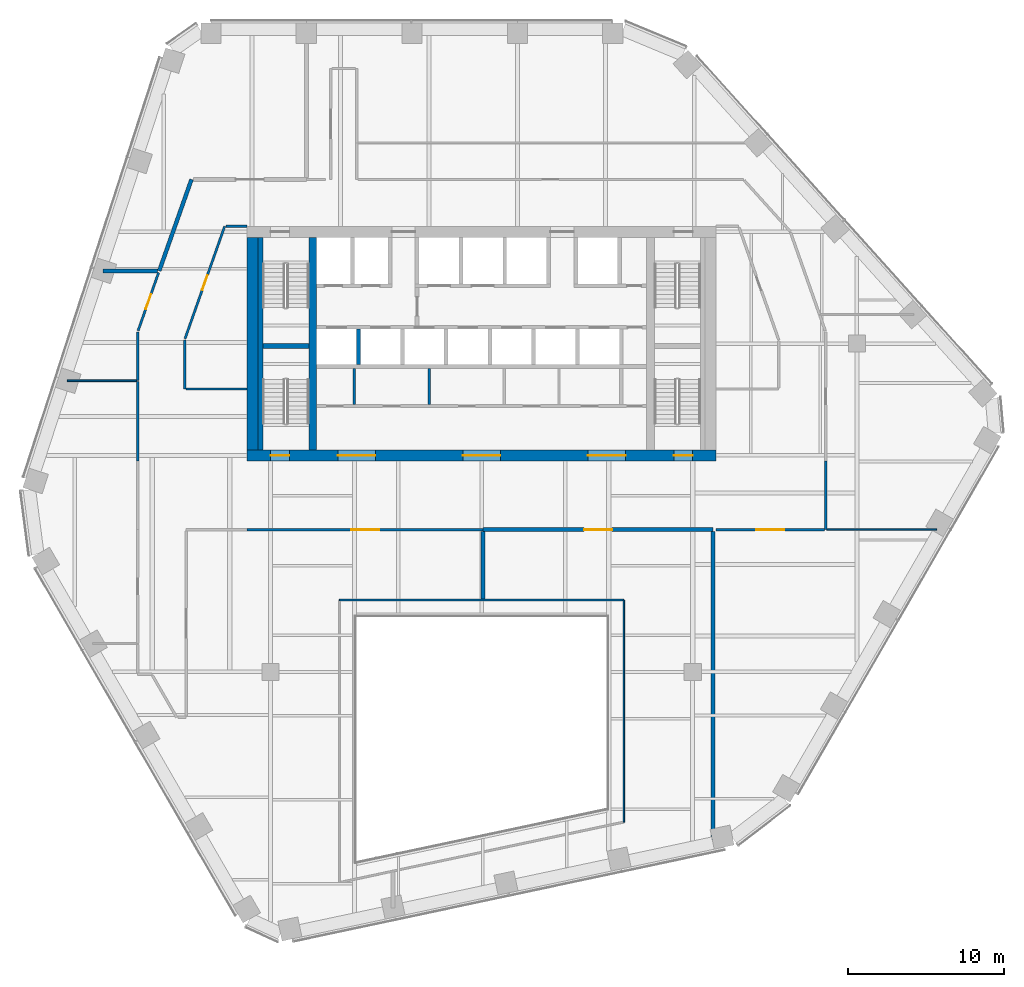
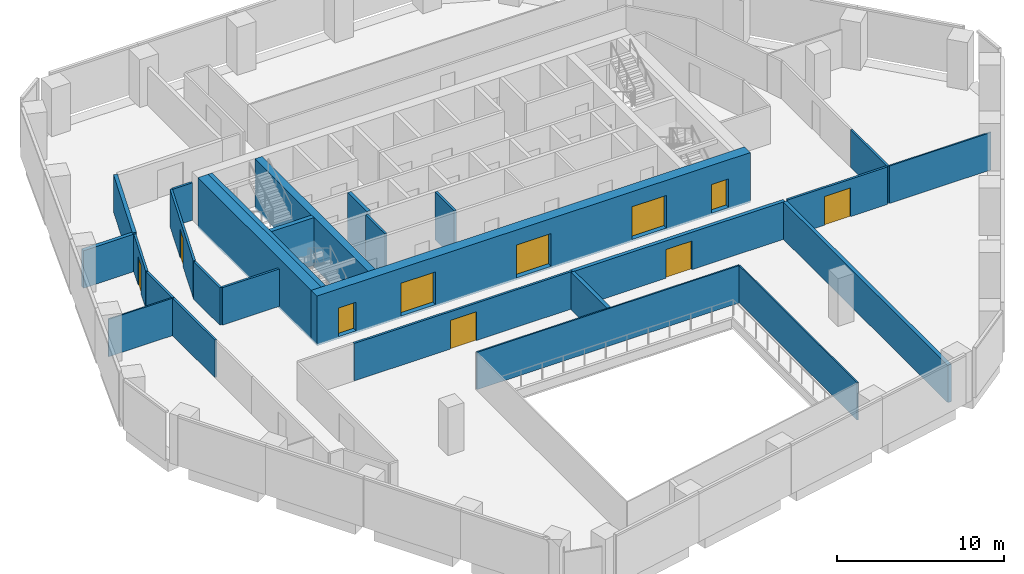
# One storey, part 11 of 17: 27 walls, 10 doors, 10 openings.
"""IFC4 building model written with IfcOpenShell, lengths in metres."""

from ifc_helpers import new_model, si_unit, direction, frame, frame_2d, origin, place, context, subcontext, project, spatial, rectangle, extrude, material, layer, layer_set, type_object, element, fill, save


model = new_model("IFC4")

# Units and contexts
model_context = context("Model", 3, precision=1e-05, world=origin(), true_north=direction((0.0, 1.0)))
body_context = subcontext(model_context, "Body", "Model", "MODEL_VIEW")
ifc_project = project(units=[si_unit("LENGTHUNIT", "METRE"), si_unit("AREAUNIT", "SQUARE_METRE"), si_unit("VOLUMEUNIT", "CUBIC_METRE"), si_unit("PLANEANGLEUNIT", "RADIAN"), si_unit("MASSUNIT", "GRAM", prefix="KILO")], contexts=[model_context])

# Site, building, storey
site_placement = place(None, origin())
site = spatial("IfcSite", under=ifc_project, at=site_placement, CompositionType="ELEMENT")
building_placement = place(site_placement, origin())
building = spatial("IfcBuilding", under=site, at=building_placement, Name="Isthmus Gate Tower", CompositionType="ELEMENT")
storey_placement = place(building_placement, frame((0.0, 0.0, 181.75)))
storey = spatial("IfcBuildingStorey", under=building, at=storey_placement, Name="L45", CompositionType="ELEMENT", Elevation=181.75)

# Wall, opening, door
ifc_material_1 = material(Name="Double-leaf acoustic stud wall, fire-rated", Category="gypsum")
ifc_layer_1 = layer(ifc_material_1, 0.25)
ifc_layer_set_1 = layer_set([ifc_layer_1], Name="ACOUSTIC WALL 250 60 MIN")
wall_type_1 = type_object("IfcWallType", Name="ACOUSTIC WALL 250 60 MIN", PredefinedType="PARTITIONING", material=ifc_layer_set_1)
wall_1_placement = place(storey_placement, frame((14.800048828125, -4.39990234375, 0.0), z_axis=(0.0, 0.0, 1.0), x_axis=(-1.0, 0.0, 0.0)))
wall_1 = element("IfcWall", 1, at=wall_1_placement, inside=storey, type_object=wall_type_1, Name="L45 Acoustic Wall 250 60 Min", PredefinedType="PARTITIONING", context=body_context, shape_type="SweptSolid", body=[
    extrude(rectangle(XDim=14.705078125, YDim=0.25, at=frame_2d((7.3525390625, 0.0))), origin(), (0.0, 0.0, 1.0), 2.7412109375),
])
opening_1_placement = place(wall_1_placement, frame((6.452392578125, 0.0, 0.0)))
opening_1 = element("IfcOpeningElement", 2, at=opening_1_placement, cuts=wall_1, Name="Opening DT-T4B-12", PredefinedType="OPENING", context=body_context, shape_type="SweptSolid", body=[
    extrude(rectangle(XDim=1.800048828125, YDim=2.10009765625, at=frame_2d((0.89990234375, 1.050048828125))), frame((0.0, 0.135009765625, 0.0), z_axis=(0.0, -1.0, 0.0), x_axis=(1.0, 0.0, 0.0)), (0.0, 0.0, 1.0), 0.27001953125),
])
ifc_material_2 = material(Name="Solid core timber door leaf, fire-rated", Category="wood")
door_type_1 = type_object("IfcDoorType", Name="FIRE DOOR ACOUSTIC ROOM 1800 X 2100 60 MIN", OperationType="DOUBLE_DOOR_DOUBLE_SWING", PredefinedType="DOOR", material=ifc_material_2)
door_1_placement = place(opening_1_placement, origin())
door_1 = element("IfcDoor", 3, at=door_1_placement, inside=storey, type_object=door_type_1, Name="L45 room door", OperationType="DOUBLE_DOOR_DOUBLE_SWING", OverallHeight=2.10009765625, OverallWidth=1.800048828125, PredefinedType="DOOR", context=body_context, shape_type="SweptSolid", body=[
    extrude(rectangle(XDim=1.800048828125, YDim=2.10009765625, at=frame_2d((0.89990234375, 1.050048828125))), frame((0.0, 0.02490234375, 0.0), z_axis=(0.0, -1.0, 0.0), x_axis=(1.0, 0.0, 0.0)), (0.0, 0.0, 1.0), 0.050048828125),
])
fill(opening_1, door_1)

# Walls
wall_2_placement = place(storey_placement, frame((-20.6240234375, 12.156005859375, 0.0), z_axis=(0.0, 0.0, 1.0), x_axis=(0.332877813913, 0.942969968241, 0.0)))
element("IfcWall", 4, at=wall_2_placement, inside=storey, type_object=wall_type_1, Name="L45 Acoustic Wall 250 60 Min", PredefinedType="PARTITIONING", context=body_context, shape_type="SweptSolid", body=[
    extrude(rectangle(XDim=6.197509765625, YDim=0.25, at=frame_2d((3.0986328125, 0.0))), origin(), (0.0, 0.0, 1.0), 2.7412109375),
])
wall_3_placement = place(storey_placement, frame((-24.217041015625, 12.156005859375, 0.0), z_axis=(0.0, 0.0, 1.0), x_axis=(1.0, 0.0, 0.0)))
element("IfcWall", 5, at=wall_3_placement, inside=storey, type_object=wall_type_1, Name="L45 Acoustic Wall 250 60 Min", PredefinedType="PARTITIONING", context=body_context, shape_type="SweptSolid", body=[
    extrude(rectangle(XDim=3.468017578125, YDim=0.25, at=frame_2d((1.73388671875, 0.0))), origin(), (0.0, 0.0, 1.0), 2.7412109375),
])
wall_4_placement = place(storey_placement, frame((0.094970703125, -8.85009765625, 0.0), z_axis=(0.0, 0.0, 1.0), x_axis=(0.0, 1.0, 0.0)))
element("IfcWall", 6, at=wall_4_placement, inside=storey, type_object=wall_type_1, Name="L45 Acoustic Wall 250 60 Min", PredefinedType="PARTITIONING", context=body_context, shape_type="SweptSolid", body=[
    extrude(rectangle(XDim=4.3251953125, YDim=0.25, at=frame_2d((2.16259765625, 0.0))), origin(), (0.0, 0.0, 1.0), 2.7412109375),
])
wall_5_placement = place(storey_placement, frame((14.800048828125, -24.240966796875, 0.0), z_axis=(0.0, 0.0, 1.0), x_axis=(0.0, 1.0, 0.0)))
element("IfcWall", 7, at=wall_5_placement, inside=storey, type_object=wall_type_1, Name="L45 Acoustic Wall 250 60 Min", PredefinedType="PARTITIONING", context=body_context, shape_type="SweptSolid", body=[
    extrude(rectangle(XDim=19.716064453125, YDim=0.25, at=frame_2d((9.85791015625, 0.0))), origin(), (0.0, 0.0, 1.0), 2.7412109375),
])
ifc_material_3 = material(Name="Fire-rated laminated glass in steel frame", Category="steel")
ifc_layer_2 = layer(ifc_material_3, 0.10009765625)
ifc_layer_set_2 = layer_set([ifc_layer_2], Name="ATRIUM SCREEN GLAZED WALL 100 120 MIN")
wall_type_2 = type_object("IfcWallType", Name="ATRIUM SCREEN GLAZED WALL 100 120 MIN", PredefinedType="PARTITIONING", material=ifc_layer_set_2)
wall_6_placement = place(storey_placement, frame((-9.10009765625, -8.89990234375, 0.0), z_axis=(0.0, 0.0, 1.0), x_axis=(1.0, 0.0, 0.0)))
element("IfcWall", 8, at=wall_6_placement, inside=storey, type_object=wall_type_2, Name="L45 atrium screen", PredefinedType="PARTITIONING", context=body_context, shape_type="SweptSolid", body=[
    extrude(rectangle(XDim=18.2001953125, YDim=0.10009765625, at=frame_2d((9.10009765625, 0.0))), origin(), (0.0, 0.0, 1.0), 2.7412109375),
])
wall_7_placement = place(storey_placement, frame((9.10009765625, -8.89990234375, 0.0), z_axis=(0.0, 0.0, 1.0), x_axis=(0.0, -1.0, 0.0)))
element("IfcWall", 9, at=wall_7_placement, inside=storey, type_object=wall_type_2, Name="L45 atrium screen", PredefinedType="PARTITIONING", context=body_context, shape_type="SweptSolid", body=[
    extrude(rectangle(XDim=14.200927734375, YDim=0.10009765625, at=frame_2d((7.1005859375, 0.0))), origin(), (0.0, 0.0, 1.0), 2.7412109375),
])

# Wall, opening, door
ifc_material_4 = material(Name="Gypsum board on steel studs, fire-rated", Category="steel")
ifc_layer_3 = layer(ifc_material_4, 0.14990234375)
ifc_layer_set_3 = layer_set([ifc_layer_3], Name="CORRIDOR WALL 150 60 MIN")
wall_type_3 = type_object("IfcWallType", Name="CORRIDOR WALL 150 60 MIN", PredefinedType="PARTITIONING", material=ifc_layer_set_3)
wall_8_placement = place(storey_placement, frame((0.094970703125, -4.39990234375, 0.0), z_axis=(0.0, 0.0, 1.0), x_axis=(-1.0, 0.0, 0.0)))
wall_8 = element("IfcWall", 10, at=wall_8_placement, inside=storey, type_object=wall_type_3, Name="L45 Corridor Wall 150 60 Min", PredefinedType="PARTITIONING", context=body_context, shape_type="SweptSolid", body=[
    extrude(rectangle(XDim=15.094970703125, YDim=0.14990234375, at=frame_2d((7.54736328125, 0.0))), origin(), (0.0, 0.0, 1.0), 2.7412109375),
])
opening_2_placement = place(wall_8_placement, frame((6.6474609375, 0.0, 0.0)))
opening_2 = element("IfcOpeningElement", 11, at=opening_2_placement, cuts=wall_8, Name="Opening DT-T4B-10", PredefinedType="OPENING", context=body_context, shape_type="SweptSolid", body=[
    extrude(rectangle(XDim=1.800048828125, YDim=2.10009765625, at=frame_2d((0.89990234375, 1.050048828125))), frame((0.0, 0.0849609375, 0.0), z_axis=(0.0, -1.0, 0.0), x_axis=(1.0, 0.0, 0.0)), (0.0, 0.0, 1.0), 0.169921875),
])
ifc_material_5 = material(Name="Solid core timber door leaf, fire-rated", Category="wood")
door_type_2 = type_object("IfcDoorType", Name="FIRE DOOR ROOM 1800 X 2100 60 MIN", OperationType="DOUBLE_DOOR_DOUBLE_SWING", PredefinedType="DOOR", material=ifc_material_5)
door_2_placement = place(opening_2_placement, origin())
door_2 = element("IfcDoor", 12, at=door_2_placement, inside=storey, type_object=door_type_2, Name="L45 room door", OperationType="DOUBLE_DOOR_DOUBLE_SWING", OverallHeight=2.10009765625, OverallWidth=1.800048828125, PredefinedType="DOOR", context=body_context, shape_type="SweptSolid", body=[
    extrude(rectangle(XDim=1.800048828125, YDim=2.10009765625, at=frame_2d((0.89990234375, 1.050048828125))), frame((0.0, 0.02490234375, 0.0), z_axis=(0.0, -1.0, 0.0), x_axis=(1.0, 0.0, 0.0)), (0.0, 0.0, 1.0), 0.050048828125),
])
fill(opening_2, door_2)

# Wall
wall_9_placement = place(storey_placement, frame((22.0, 0.0, 0.0), z_axis=(0.0, 0.0, 1.0), x_axis=(0.0, -1.0, 0.0)))
element("IfcWall", 13, at=wall_9_placement, inside=storey, type_object=wall_type_3, Name="L45 Corridor Wall 150 60 Min", PredefinedType="PARTITIONING", context=body_context, shape_type="SweptSolid", body=[
    extrude(rectangle(XDim=4.39990234375, YDim=0.14990234375, at=frame_2d((2.199951171875, 0.0))), origin(), (0.0, 0.0, 1.0), 2.7412109375),
])

# Wall, opening, door
wall_10_placement = place(storey_placement, frame((21.925048828125, -4.39990234375, 0.0), z_axis=(0.0, 0.0, 1.0), x_axis=(-1.0, 0.0, 0.0)))
wall_10 = element("IfcWall", 14, at=wall_10_placement, inside=storey, type_object=wall_type_3, Name="L45 Corridor Wall 150 60 Min", PredefinedType="PARTITIONING", context=body_context, shape_type="SweptSolid", body=[
    extrude(rectangle(XDim=6.925048828125, YDim=0.14990234375, at=frame_2d((3.46240234375, 0.0))), origin(), (0.0, 0.0, 1.0), 2.7412109375),
])
opening_3_placement = place(wall_10_placement, frame((2.5625, 0.0, 0.0)))
opening_3 = element("IfcOpeningElement", 15, at=opening_3_placement, cuts=wall_10, Name="Opening DT-T4B-09", PredefinedType="OPENING", context=body_context, shape_type="SweptSolid", body=[
    extrude(rectangle(XDim=1.800048828125, YDim=2.10009765625, at=frame_2d((0.89990234375, 1.050048828125))), frame((0.0, 0.0849609375, 0.0), z_axis=(0.0, -1.0, 0.0), x_axis=(1.0, 0.0, 0.0)), (0.0, 0.0, 1.0), 0.169921875),
])
door_3_placement = place(opening_3_placement, origin())
door_3 = element("IfcDoor", 16, at=door_3_placement, inside=storey, type_object=door_type_2, Name="L45 room door", OperationType="DOUBLE_DOOR_DOUBLE_SWING", OverallHeight=2.10009765625, OverallWidth=1.800048828125, PredefinedType="DOOR", context=body_context, shape_type="SweptSolid", body=[
    extrude(rectangle(XDim=1.800048828125, YDim=2.10009765625, at=frame_2d((0.89990234375, 1.050048828125))), frame((0.0, 0.02490234375, 0.0), z_axis=(0.0, -1.0, 0.0), x_axis=(1.0, 0.0, 0.0)), (0.0, 0.0, 1.0), 0.050048828125),
])
fill(opening_3, door_3)

# Wall
wall_11_placement = place(storey_placement, frame((-19.0, 7.742919921875, 0.0), z_axis=(0.0, 0.0, 1.0), x_axis=(0.0, -1.0, 0.0)))
element("IfcWall", 17, at=wall_11_placement, inside=storey, type_object=wall_type_3, Name="L45 Corridor Wall 150 60 Min", PredefinedType="PARTITIONING", context=body_context, shape_type="SweptSolid", body=[
    extrude(rectangle(XDim=3.142822265625, YDim=0.14990234375, at=frame_2d((1.5712890625, 0.0))), origin(), (0.0, 0.0, 1.0), 2.7412109375),
])

# Wall, opening, door
wall_12_placement = place(storey_placement, frame((-16.43896484375, 15.0, 0.0), z_axis=(0.0, 0.0, 1.0), x_axis=(-0.332796656951, -0.942998613531, 0.0)))
wall_12 = element("IfcWall", 18, at=wall_12_placement, inside=storey, type_object=wall_type_3, Name="L45 Corridor Wall 150 60 Min", PredefinedType="PARTITIONING", context=body_context, shape_type="SweptSolid", body=[
    extrude(rectangle(XDim=7.62060546875, YDim=0.14990234375, at=frame_2d((3.810302734375, 0.0))), origin(), (0.0, 0.0, 1.0), 2.7412109375),
])
opening_4_placement = place(wall_12_placement, frame((3.310302734375, 0.0, 0.0)))
opening_4 = element("IfcOpeningElement", 19, at=opening_4_placement, cuts=wall_12, Name="Opening DT-T4B-04", PredefinedType="OPENING", context=body_context, shape_type="SweptSolid", body=[
    extrude(rectangle(XDim=1.0, YDim=2.10009765625, at=frame_2d((0.5, 1.050048828125))), frame((0.0, 0.0849609375, 0.0), z_axis=(0.0, -1.0, 0.0), x_axis=(1.0, 0.0, 0.0)), (0.0, 0.0, 1.0), 0.169921875),
])
ifc_material_6 = material(Name="Solid core timber door leaf, fire-rated", Category="wood")
door_type_3 = type_object("IfcDoorType", Name="FIRE DOOR ROOM 1000 X 2100 60 MIN", OperationType="SINGLE_SWING_LEFT", PredefinedType="DOOR", material=ifc_material_6)
door_4_placement = place(opening_4_placement, origin())
door_4 = element("IfcDoor", 20, at=door_4_placement, inside=storey, type_object=door_type_3, Name="L45 room door", OperationType="SINGLE_SWING_RIGHT", OverallHeight=2.10009765625, OverallWidth=1.0, PredefinedType="DOOR", context=body_context, shape_type="SweptSolid", body=[
    extrude(rectangle(XDim=1.0, YDim=2.10009765625, at=frame_2d((0.5, 1.050048828125))), frame((0.0, 0.02490234375, 0.0), z_axis=(0.0, -1.0, 0.0), x_axis=(1.0, 0.0, 0.0)), (0.0, 0.0, 1.0), 0.050048828125),
])
fill(opening_4, door_4)

# Walls
wall_13_placement = place(storey_placement, frame((-15.0, 15.0, 0.0), z_axis=(0.0, 0.0, 1.0), x_axis=(-1.0, 0.0, 0.0)))
element("IfcWall", 21, at=wall_13_placement, inside=storey, type_object=wall_type_3, Name="L45 Corridor Wall 150 60 Min", PredefinedType="PARTITIONING", context=body_context, shape_type="SweptSolid", body=[
    extrude(rectangle(XDim=1.364013671875, YDim=0.14990234375, at=frame_2d((0.68212890625, 0.0))), origin(), (0.0, 0.0, 1.0), 2.7412109375),
])
wall_14_placement = place(storey_placement, frame((-18.925048828125, 4.60009765625, 0.0), z_axis=(0.0, 0.0, 1.0), x_axis=(1.0, 0.0, 0.0)))
element("IfcWall", 22, at=wall_14_placement, inside=storey, type_object=wall_type_3, Name="L45 Corridor Wall 150 60 Min", PredefinedType="PARTITIONING", context=body_context, shape_type="SweptSolid", body=[
    extrude(rectangle(XDim=3.925048828125, YDim=0.14990234375, at=frame_2d((1.96240234375, 0.0))), origin(), (0.0, 0.0, 1.0), 2.7412109375),
])
wall_15_placement = place(storey_placement, frame((-22.0, 5.126953125, 0.0), z_axis=(0.0, 0.0, 1.0), x_axis=(0.0, 1.0, 0.0)))
element("IfcWall", 23, at=wall_15_placement, inside=storey, type_object=wall_type_3, Name="L45 Corridor Wall 150 60 Min", PredefinedType="PARTITIONING", context=body_context, shape_type="SweptSolid", body=[
    extrude(rectangle(XDim=3.130126953125, YDim=0.14990234375, at=frame_2d((1.56494140625, 0.0))), origin(), (0.0, 0.0, 1.0), 2.7412109375),
])

# Wall, opening, door
wall_16_placement = place(storey_placement, frame((-21.97509765625, 8.32763671875, 0.0), z_axis=(0.0, 0.0, 1.0), x_axis=(0.332820117735, 0.942990333583, 0.0)))
wall_16 = element("IfcWall", 24, at=wall_16_placement, inside=storey, type_object=wall_type_3, Name="L45 Corridor Wall 150 60 Min", PredefinedType="PARTITIONING", context=body_context, shape_type="SweptSolid", body=[
    extrude(rectangle(XDim=3.934814453125, YDim=0.14990234375, at=frame_2d((1.96728515625, 0.0))), origin(), (0.0, 0.0, 1.0), 2.7412109375),
])
opening_5_placement = place(wall_16_placement, frame((1.46728515625, 0.0, 0.0)))
opening_5 = element("IfcOpeningElement", 25, at=opening_5_placement, cuts=wall_16, Name="Opening DT-T4B-06", PredefinedType="OPENING", context=body_context, shape_type="SweptSolid", body=[
    extrude(rectangle(XDim=1.0, YDim=2.10009765625, at=frame_2d((0.5, 1.050048828125))), frame((0.0, 0.0849609375, 0.0), z_axis=(0.0, -1.0, 0.0), x_axis=(1.0, 0.0, 0.0)), (0.0, 0.0, 1.0), 0.169921875),
])
door_5_placement = place(opening_5_placement, origin())
door_5 = element("IfcDoor", 26, at=door_5_placement, inside=storey, type_object=door_type_3, Name="L45 room door", OperationType="SINGLE_SWING_RIGHT", OverallHeight=2.10009765625, OverallWidth=1.0, PredefinedType="DOOR", context=body_context, shape_type="SweptSolid", body=[
    extrude(rectangle(XDim=1.0, YDim=2.10009765625, at=frame_2d((0.5, 1.050048828125))), frame((0.0, 0.02490234375, 0.0), z_axis=(0.0, -1.0, 0.0), x_axis=(1.0, 0.0, 0.0)), (0.0, 0.0, 1.0), 0.050048828125),
])
fill(opening_5, door_5)

# Walls
wall_17_placement = place(storey_placement, frame((-22.0, 0.0, 0.0), z_axis=(0.0, 0.0, 1.0), x_axis=(0.0, 1.0, 0.0)))
element("IfcWall", 27, at=wall_17_placement, inside=storey, type_object=wall_type_3, Name="L45 Corridor Wall 150 60 Min", PredefinedType="PARTITIONING", context=body_context, shape_type="SweptSolid", body=[
    extrude(rectangle(XDim=5.076904296875, YDim=0.14990234375, at=frame_2d((2.53857421875, 0.0))), origin(), (0.0, 0.0, 1.0), 2.7412109375),
])
ifc_material_7 = material(Name="Concrete f'c 60 MPa", Category="concrete")
ifc_layer_4 = layer(ifc_material_7, 0.5)
ifc_layer_set_4 = layer_set([ifc_layer_4], Name="RC CORE SPINE WALL 500 F'C 60")
wall_type_4 = type_object("IfcWallType", Name="RC CORE SPINE WALL 500 F'C 60", PredefinedType="SOLIDWALL", material=ifc_layer_set_4)
wall_18_placement = place(storey_placement, frame((-10.800048828125, 0.699951171875, -0.14990234375), z_axis=(0.0, 0.0, 1.0), x_axis=(0.0, 1.0, 0.0)))
element("IfcWall", 28, at=wall_18_placement, inside=storey, type_object=wall_type_4, Name="str-corewall-L45-SPW", PredefinedType="SOLIDWALL", context=body_context, shape_type="SweptSolid", body=[
    extrude(rectangle(XDim=13.60009765625, YDim=0.5, at=frame_2d((6.800048828125, 0.0))), origin(), (0.0, 0.0, 1.0), 3.64990234375),
])

# Wall, openings, doors
ifc_material_8 = material(Name="Concrete f'c 60 MPa", Category="concrete")
ifc_layer_5 = layer(ifc_material_8, 0.699951171875)
ifc_layer_set_5 = layer_set([ifc_layer_5], Name="RC CORE WALL 700 F'C 60")
wall_type_5 = type_object("IfcWallType", Name="RC CORE WALL 700 F'C 60", PredefinedType="SOLIDWALL", material=ifc_layer_set_5)
wall_19_placement = place(storey_placement, frame((-15.0, 0.35009765625, -0.14990234375), z_axis=(0.0, 0.0, 1.0), x_axis=(1.0, 0.0, 0.0)))
wall_19 = element("IfcWall", 29, at=wall_19_placement, inside=storey, type_object=wall_type_5, Name="str-corewall-L45-S", PredefinedType="SOLIDWALL", context=body_context, shape_type="SweptSolid", body=[
    extrude(rectangle(XDim=30.0, YDim=0.699951171875, at=frame_2d((15.0, 0.0))), origin(), (0.0, 0.0, 1.0), 3.64990234375),
])
opening_6_placement = place(wall_19_placement, frame((5.800048828125, 0.0, 0.14990234375)))
opening_6 = element("IfcOpeningElement", 30, at=opening_6_placement, cuts=wall_19, Name="Opening DC-A12-10", PredefinedType="OPENING", context=body_context, shape_type="SweptSolid", body=[
    extrude(rectangle(XDim=2.39990234375, YDim=2.39990234375, at=frame_2d((1.199951171875, 1.199951171875))), frame((0.0, 0.35986328125, 0.0), z_axis=(0.0, -1.0, 0.0), x_axis=(1.0, 0.0, 0.0)), (0.0, 0.0, 1.0), 0.719970703125),
])
opening_7_placement = place(wall_19_placement, frame((13.800048828125, 0.0, 0.14990234375)))
opening_7 = element("IfcOpeningElement", 31, at=opening_7_placement, cuts=wall_19, Name="Opening DC-A12-11", PredefinedType="OPENING", context=body_context, shape_type="SweptSolid", body=[
    extrude(rectangle(XDim=2.39990234375, YDim=2.39990234375, at=frame_2d((1.199951171875, 1.199951171875))), frame((0.0, 0.35986328125, 0.0), z_axis=(0.0, -1.0, 0.0), x_axis=(1.0, 0.0, 0.0)), (0.0, 0.0, 1.0), 0.719970703125),
])
opening_8_placement = place(wall_19_placement, frame((21.800048828125, 0.0, 0.14990234375)))
opening_8 = element("IfcOpeningElement", 32, at=opening_8_placement, cuts=wall_19, Name="Opening DC-A12-12", PredefinedType="OPENING", context=body_context, shape_type="SweptSolid", body=[
    extrude(rectangle(XDim=2.39990234375, YDim=2.39990234375, at=frame_2d((1.199951171875, 1.199951171875))), frame((0.0, 0.35986328125, 0.0), z_axis=(0.0, -1.0, 0.0), x_axis=(1.0, 0.0, 0.0)), (0.0, 0.0, 1.0), 0.719970703125),
])
opening_9_placement = place(wall_19_placement, frame((1.5, 0.0, 0.14990234375)))
opening_9 = element("IfcOpeningElement", 33, at=opening_9_placement, cuts=wall_19, Name="Opening DC-A12-17", PredefinedType="OPENING", context=body_context, shape_type="SweptSolid", body=[
    extrude(rectangle(XDim=1.199951171875, YDim=2.10009765625, at=frame_2d((0.60009765625, 1.050048828125))), frame((0.0, 0.35986328125, 0.0), z_axis=(0.0, -1.0, 0.0), x_axis=(1.0, 0.0, 0.0)), (0.0, 0.0, 1.0), 0.719970703125),
])
opening_10_placement = place(wall_19_placement, frame((27.300048828125, 0.0, 0.14990234375)))
opening_10 = element("IfcOpeningElement", 34, at=opening_10_placement, cuts=wall_19, Name="Opening DC-A12-18", PredefinedType="OPENING", context=body_context, shape_type="SweptSolid", body=[
    extrude(rectangle(XDim=1.199951171875, YDim=2.10009765625, at=frame_2d((0.60009765625, 1.050048828125))), frame((0.0, 0.35986328125, 0.0), z_axis=(0.0, -1.0, 0.0), x_axis=(1.0, 0.0, 0.0)), (0.0, 0.0, 1.0), 0.719970703125),
])
ifc_material_9 = material(Name="Laminated safety glass in steel frame, fire-rated", Category="steel")
door_type_4 = type_object("IfcDoorType", Name="LOBBY ENTRANCE FIRE DOOR 2400 X 2400 60 MIN", OperationType="DOUBLE_DOOR_DOUBLE_SWING", PredefinedType="DOOR", material=ifc_material_9)
door_6_placement = place(opening_6_placement, origin())
door_6 = element("IfcDoor", 35, at=door_6_placement, inside=storey, type_object=door_type_4, Name="Lobby Entrance PS-W", OperationType="DOUBLE_DOOR_DOUBLE_SWING", OverallHeight=2.39990234375, OverallWidth=2.39990234375, PredefinedType="DOOR", context=body_context, shape_type="SweptSolid", body=[
    extrude(rectangle(XDim=2.39990234375, YDim=2.39990234375, at=frame_2d((1.199951171875, 1.199951171875))), frame((0.0, 0.02490234375, 0.0), z_axis=(0.0, -1.0, 0.0), x_axis=(1.0, 0.0, 0.0)), (0.0, 0.0, 1.0), 0.050048828125),
])
fill(opening_6, door_6)
door_7_placement = place(opening_7_placement, origin())
door_7 = element("IfcDoor", 36, at=door_7_placement, inside=storey, type_object=door_type_4, Name="Lobby Entrance PS-C", OperationType="DOUBLE_DOOR_DOUBLE_SWING", OverallHeight=2.39990234375, OverallWidth=2.39990234375, PredefinedType="DOOR", context=body_context, shape_type="SweptSolid", body=[
    extrude(rectangle(XDim=2.39990234375, YDim=2.39990234375, at=frame_2d((1.199951171875, 1.199951171875))), frame((0.0, 0.02490234375, 0.0), z_axis=(0.0, -1.0, 0.0), x_axis=(1.0, 0.0, 0.0)), (0.0, 0.0, 1.0), 0.050048828125),
])
fill(opening_7, door_7)
door_8_placement = place(opening_8_placement, origin())
door_8 = element("IfcDoor", 37, at=door_8_placement, inside=storey, type_object=door_type_4, Name="Lobby Entrance PS-E", OperationType="DOUBLE_DOOR_DOUBLE_SWING", OverallHeight=2.39990234375, OverallWidth=2.39990234375, PredefinedType="DOOR", context=body_context, shape_type="SweptSolid", body=[
    extrude(rectangle(XDim=2.39990234375, YDim=2.39990234375, at=frame_2d((1.199951171875, 1.199951171875))), frame((0.0, 0.02490234375, 0.0), z_axis=(0.0, -1.0, 0.0), x_axis=(1.0, 0.0, 0.0)), (0.0, 0.0, 1.0), 0.050048828125),
])
fill(opening_8, door_8)
ifc_material_10 = material(Name="Steel door leaf, fire-rated", Category="steel")
door_type_5 = type_object("IfcDoorType", Name="STAIR FIRE DOOR 1200 X 2100 90 MIN", OperationType="SINGLE_SWING_LEFT", PredefinedType="DOOR", material=ifc_material_10)
door_9_placement = place(opening_9_placement, origin())
door_9 = element("IfcDoor", 38, at=door_9_placement, inside=storey, type_object=door_type_5, Name="Exit Stair 7 Door", OperationType="SINGLE_SWING_LEFT", OverallHeight=2.10009765625, OverallWidth=1.199951171875, PredefinedType="DOOR", context=body_context, shape_type="SweptSolid", body=[
    extrude(rectangle(XDim=1.199951171875, YDim=2.10009765625, at=frame_2d((0.60009765625, 1.050048828125))), frame((0.0, 0.02490234375, 0.0), z_axis=(0.0, -1.0, 0.0), x_axis=(1.0, 0.0, 0.0)), (0.0, 0.0, 1.0), 0.050048828125),
])
fill(opening_9, door_9)
door_10_placement = place(opening_10_placement, origin())
door_10 = element("IfcDoor", 39, at=door_10_placement, inside=storey, type_object=door_type_5, Name="Exit Stair 8 Door", OperationType="SINGLE_SWING_RIGHT", OverallHeight=2.10009765625, OverallWidth=1.199951171875, PredefinedType="DOOR", context=body_context, shape_type="SweptSolid", body=[
    extrude(rectangle(XDim=1.199951171875, YDim=2.10009765625, at=frame_2d((0.60009765625, 1.050048828125))), frame((0.0, 0.02490234375, 0.0), z_axis=(0.0, -1.0, 0.0), x_axis=(1.0, 0.0, 0.0)), (0.0, 0.0, 1.0), 0.050048828125),
])
fill(opening_10, door_10)

# Walls
wall_20_placement = place(storey_placement, frame((-14.64990234375, 0.699951171875, -0.14990234375), z_axis=(0.0, 0.0, 1.0), x_axis=(0.0, 1.0, 0.0)))
element("IfcWall", 40, at=wall_20_placement, inside=storey, type_object=wall_type_5, Name="str-corewall-L45-W", PredefinedType="SOLIDWALL", context=body_context, shape_type="SweptSolid", body=[
    extrude(rectangle(XDim=13.60009765625, YDim=0.699951171875, at=frame_2d((6.800048828125, 0.0))), origin(), (0.0, 0.0, 1.0), 3.64990234375),
])
ifc_material_11 = material(Name="Gypsum board on steel studs, fire-rated", Category="steel")
ifc_layer_6 = layer(ifc_material_11, 0.10009765625)
ifc_layer_set_6 = layer_set([ifc_layer_6], Name="ROOM PARTITION 100 30 MIN")
wall_type_6 = type_object("IfcWallType", Name="ROOM PARTITION 100 30 MIN", PredefinedType="PARTITIONING", material=ifc_layer_set_6)
wall_21_placement = place(storey_placement, frame((-26.5009765625, 5.126953125, 0.0), z_axis=(0.0, 0.0, 1.0), x_axis=(1.0, 0.0, 0.0)))
element("IfcWall", 41, at=wall_21_placement, inside=storey, type_object=wall_type_6, Name="L45 Room Partition 100 30 Min", PredefinedType="PARTITIONING", context=body_context, shape_type="SweptSolid", body=[
    extrude(rectangle(XDim=4.426025390625, YDim=0.10009765625, at=frame_2d((2.212890625, 0.0))), origin(), (0.0, 0.0, 1.0), 2.7412109375),
])
wall_22_placement = place(storey_placement, frame((22.074951171875, -4.402099609375, 0.0), z_axis=(0.0, 0.0, 1.0), x_axis=(1.0, 0.0, 0.0)))
element("IfcWall", 42, at=wall_22_placement, inside=storey, type_object=wall_type_6, Name="L45 Room Partition 100 30 Min", PredefinedType="PARTITIONING", context=body_context, shape_type="SweptSolid", body=[
    extrude(rectangle(XDim=7.02197265625, YDim=0.10009765625, at=frame_2d((3.510986328125, 0.0))), origin(), (0.0, 0.0, 1.0), 2.7412109375),
])
ifc_material_12 = material(Name="Gypsum board on steel studs, fire-rated", Category="steel")
ifc_layer_7 = layer(ifc_material_12, 0.14990234375)
ifc_layer_set_7 = layer_set([ifc_layer_7], Name="ROOM PARTITION 150 60 MIN")
wall_type_7 = type_object("IfcWallType", Name="ROOM PARTITION 150 60 MIN", PredefinedType="PARTITIONING", material=ifc_layer_set_7)
for number, where, z_axis, x_axis, name in (
    (43, (-8.14990234375, 3.60009765625, 0.0), (0.0, 0.0, 1.0), (0.0, 1.0, 0.0), "L45 ROOM PARTITION 150 60 MIN"),
    (44, (-3.35009765625, 3.60009765625, 0.0), (0.0, 0.0, 1.0), (0.0, 1.0, 0.0), "L45 ROOM PARTITION 150 60 MIN"),
):
    element("IfcWall", number, at=place(storey_placement, frame(where, z_axis=z_axis, x_axis=x_axis)), inside=storey, type_object=wall_type_7, Name=name, PredefinedType="PARTITIONING", context=body_context, shape_type="SweptSolid", body=[
        extrude(rectangle(XDim=2.2998046875, YDim=0.14990234375, at=frame_2d((1.14990234375, 0.0))), origin(), (0.0, 0.0, 1.0), 3.5),
    ])
ifc_material_13 = material(Name="Fire-rated blockwork masonry, 15 MPa", Category="masonry")
ifc_layer_8 = layer(ifc_material_13, 0.25)
ifc_layer_set_8 = layer_set([ifc_layer_8], Name="SHAFT WALL 250 120 MIN")
wall_type_8 = type_object("IfcWallType", Name="SHAFT WALL 250 120 MIN", PredefinedType="PARTITIONING", material=ifc_layer_set_8)
wall_23_placement = place(storey_placement, frame((-7.875, 6.14990234375, 0.0), z_axis=(0.0, 0.0, 1.0), x_axis=(0.0, 1.0, 0.0)))
element("IfcWall", 45, at=wall_23_placement, inside=storey, type_object=wall_type_8, Name="L45 SHAFT WALL 250 120 MIN", PredefinedType="PARTITIONING", context=body_context, shape_type="SweptSolid", body=[
    extrude(rectangle(XDim=2.300048828125, YDim=0.25, at=frame_2d((1.14990234375, 0.0))), origin(), (0.0, 0.0, 1.0), 3.5),
])
ifc_material_14 = material(Name="Concrete f'c 40 MPa", Category="concrete")
ifc_layer_9 = layer(ifc_material_14, 0.300048828125)
ifc_layer_set_9 = layer_set([ifc_layer_9], Name="STAIR ENCLOSURE WALL 300 180 MIN")
wall_type_9 = type_object("IfcWallType", Name="STAIR ENCLOSURE WALL 300 180 MIN", PredefinedType="SOLIDWALL", material=ifc_layer_set_9)
wall_24_placement = place(storey_placement, frame((-14.0, 7.35009765625, 0.0), z_axis=(0.0, 0.0, 1.0), x_axis=(1.0, 0.0, 0.0)))
element("IfcWall", 46, at=wall_24_placement, inside=storey, type_object=wall_type_9, Name="L45 STAIR ENCLOSURE WALL 300 180 MIN", PredefinedType="SOLIDWALL", context=body_context, shape_type="SweptSolid", body=[
    extrude(rectangle(XDim=2.949951171875, YDim=0.300048828125, at=frame_2d((1.47509765625, 0.0))), origin(), (0.0, 0.0, 1.0), 3.5),
])
wall_25_placement = place(storey_placement, frame((-14.14990234375, 0.699951171875, 0.0), z_axis=(0.0, 0.0, 1.0), x_axis=(0.0, 1.0, 0.0)))
element("IfcWall", 47, at=wall_25_placement, inside=storey, type_object=wall_type_9, Name="L45 STAIR ENCLOSURE WALL 300 180 MIN", PredefinedType="SOLIDWALL", context=body_context, shape_type="SweptSolid", body=[
    extrude(rectangle(XDim=13.60009765625, YDim=0.300048828125, at=frame_2d((6.800048828125, 0.0))), origin(), (0.0, 0.0, 1.0), 3.5),
])

save(model, "model.ifc")
